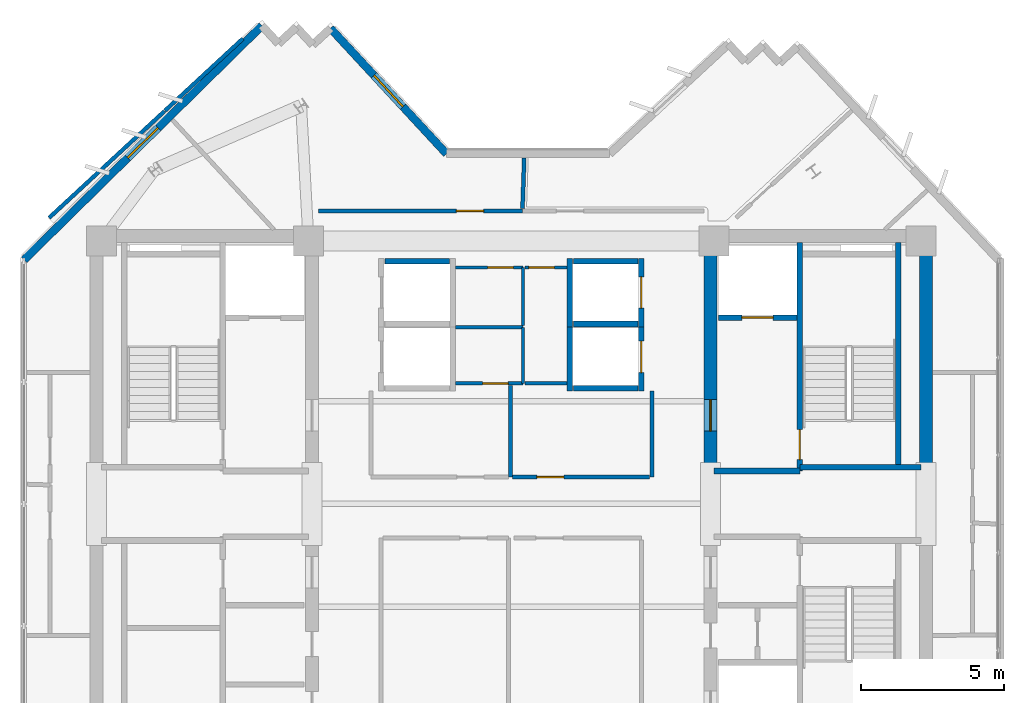
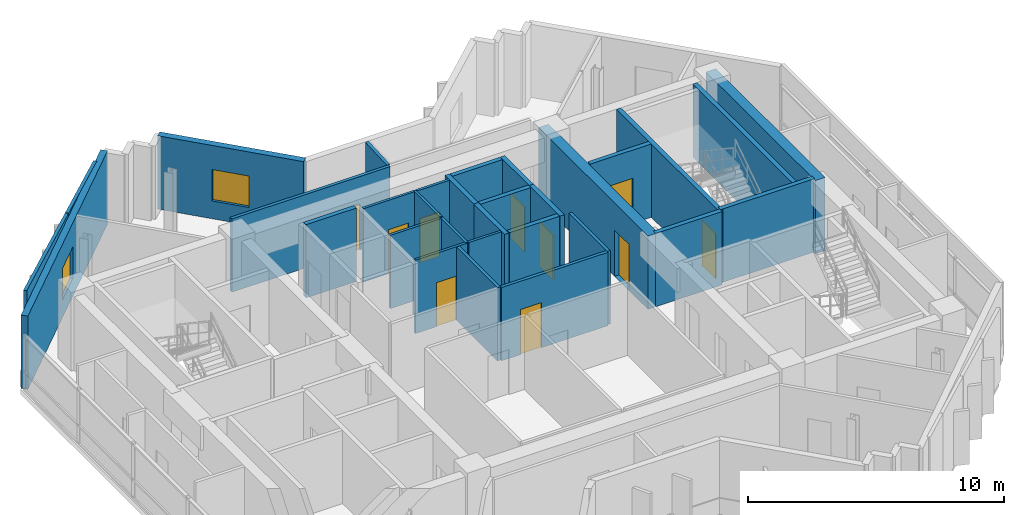
# One storey, part 6 of 9: 31 walls, 10 doors, 2 windows, 12 openings.
"""IFC4 building model written with IfcOpenShell, lengths in metres."""

from ifc_helpers import new_model, si_unit, direction, frame, frame_2d, origin, place, context, subcontext, project, spatial, rectangle, extrude, source, transform, mapped, material, layer, layer_set, type_object, element, fill, save


model = new_model("IFC4")

# Units and contexts
model_context = context("Model", 3, precision=1e-05, world=origin(), true_north=direction((0.0, 1.0)))
body_context = subcontext(model_context, "Body", "Model", "MODEL_VIEW")
ifc_project = project(units=[si_unit("LENGTHUNIT", "METRE"), si_unit("AREAUNIT", "SQUARE_METRE"), si_unit("VOLUMEUNIT", "CUBIC_METRE"), si_unit("PLANEANGLEUNIT", "RADIAN"), si_unit("MASSUNIT", "GRAM", prefix="KILO")], contexts=[model_context])

# Site, building, storey
site_placement = place(None, origin())
site = spatial("IfcSite", under=ifc_project, at=site_placement, CompositionType="ELEMENT")
building_placement = place(site_placement, origin())
building = spatial("IfcBuilding", under=site, at=building_placement, Name="Zahravan Cultural Tower", CompositionType="ELEMENT")
storey_placement = place(building_placement, frame((0.0, 0.0, 295.35009765625)))
storey = spatial("IfcBuildingStorey", under=building, at=storey_placement, Name="L71", CompositionType="ELEMENT", Elevation=295.35009765625)

# Wall, opening, door
ifc_material_1 = material(Name="Concrete C50/60", Category="concrete")
ifc_layer_1 = layer(ifc_material_1, 0.449951171875)
ifc_layer_set_1 = layer_set([ifc_layer_1], Name="Concrete C50/60")
wall_type_1 = type_object("IfcWallType", Name="CW-SHEAR-450-C50", PredefinedType="SHEAR", material=ifc_layer_set_1)
wall_1_placement = place(storey_placement, frame((42.97509765625, 28.050048828125, 0.0), z_axis=(0.0, 0.0, 1.0), x_axis=(0.0, 1.0, 0.0)))
wall_1 = element("IfcWall", 1, at=wall_1_placement, inside=storey, type_object=wall_type_1, Name="L71 Core Shear Wall CW-E-WN-L71", PredefinedType="SHEAR", context=body_context, shape_type="SweptSolid", body=[
    extrude(rectangle(XDim=8.550048828125, YDim=0.449951171875, at=frame_2d((4.27490234375, 0.0))), origin(), (0.0, 0.0, 1.0), 3.5),
])
opening_1_placement = place(wall_1_placement, frame((1.5, 0.0, 0.0)))
opening_1 = element("IfcOpeningElement", 2, at=opening_1_placement, cuts=wall_1, Name="Opening D-L71-07", PredefinedType="OPENING", context=body_context, shape_type="SweptSolid", body=[
    extrude(rectangle(XDim=1.10009765625, YDim=2.199951171875, at=frame_2d((0.550048828125, 1.10009765625))), frame((0.0, 0.23486328125, 0.0), z_axis=(0.0, -1.0, 0.0), x_axis=(1.0, 0.0, 0.0)), (0.0, 0.0, 1.0), 0.469970703125),
])
ifc_material_2 = material(Name="Steel ASTM A572 Grade 50", Category="steel")
door_type_1 = type_object("IfcDoorType", Name="DR-LOBBY-1100", OperationType="NOTDEFINED", PredefinedType="DOOR", material=ifc_material_2)
shared_shape_1 = source(origin(), body_context, "Body", "SweptSolid", [
    extrude(rectangle(XDim=1.10009765625, YDim=2.199951171875, at=frame_2d((0.550048828125, 1.10009765625))), frame((0.0, 0.02490234375, 0.0), z_axis=(0.0, -1.0, 0.0), x_axis=(1.0, 0.0, 0.0)), (0.0, 0.0, 1.0), 0.050048828125),
])
door_1_placement = place(opening_1_placement, origin())
door_1 = element("IfcDoor", 3, at=door_1_placement, inside=storey, type_object=door_type_1, Name="L71 Door D-L71-07", OperationType="SINGLE_SWING_LEFT", OverallHeight=2.199951171875, OverallWidth=1.10009765625, PredefinedType="DOOR", context=body_context, shape_type="MappedRepresentation", body=[
    mapped(shared_shape_1, transform((0.0, 0.0, 0.0), x_axis=(1.0, 0.0, 0.0), y_axis=(0.0, 1.0, 0.0), z_axis=(0.0, 0.0, 1.0), scale=1.0)),
])
fill(opening_1, door_1)

# Wall, opening, window
ifc_material_3 = material(Name="Precast concrete C40/50", Category="concrete")
ifc_layer_2 = layer(ifc_material_3, 0.280029296875)
ifc_layer_set_2 = layer_set([ifc_layer_2], Name="Precast concrete C40/50")
wall_type_2 = type_object("IfcWallType", Name="EW-TC-280", PredefinedType="SOLIDWALL", material=ifc_layer_set_2)
wall_2_placement = place(storey_placement, frame((18.93994140625, 35.5419921875, 0.0), z_axis=(0.0, 0.0, 1.0), x_axis=(0.712557502542, 0.701613715353, 0.0)))
wall_2 = element("IfcWall", 4, at=wall_2_placement, inside=storey, type_object=wall_type_2, Name="L71 Exterior Masonry Frame Wall 20", PredefinedType="SOLIDWALL", context=body_context, shape_type="SweptSolid", body=[
    extrude(rectangle(XDim=11.689697265625, YDim=0.280029296875, at=frame_2d((5.8447265625, 0.0))), origin(), (0.0, 0.0, 1.0), 3.5),
])
opening_2_placement = place(wall_2_placement, frame((5.094970703125, 0.0, 0.85009765625)))
opening_2 = element("IfcOpeningElement", 5, at=opening_2_placement, cuts=wall_2, Name="Opening WN-03", PredefinedType="OPENING", context=body_context, shape_type="SweptSolid", body=[
    extrude(rectangle(XDim=1.5, YDim=1.5, at=frame_2d((0.75, 0.75))), frame((0.0, 0.14990234375, 0.0), z_axis=(0.0, -1.0, 0.0), x_axis=(1.0, 0.0, 0.0)), (0.0, 0.0, 1.0), 0.300048828125),
])
ifc_material_4 = material(Name="Low-E solar-control double glazing", Category="glass")
window_type = type_object("IfcWindowType", Name="WN-REC-1500X1500", PartitioningType="SINGLE_PANEL", PredefinedType="WINDOW", material=ifc_material_4)
shared_shape_2 = source(origin(), body_context, "Body", "SweptSolid", [
    extrude(rectangle(XDim=1.5, YDim=1.5, at=frame_2d((0.75, 0.75))), frame((0.0, 0.030029296875, 0.0), z_axis=(0.0, -1.0, 0.0), x_axis=(1.0, 0.0, 0.0)), (0.0, 0.0, 1.0), 0.06005859375),
])
window_1_placement = place(opening_2_placement, origin())
window_1 = element("IfcWindow", 6, at=window_1_placement, inside=storey, type_object=window_type, Name="L71 Recessed Solar Window 04", OverallHeight=1.5, OverallWidth=1.5, PartitioningType="SINGLE_PANEL", PredefinedType="WINDOW", context=body_context, shape_type="MappedRepresentation", body=[
    mapped(shared_shape_2, transform((0.0, 0.0, 0.0), x_axis=(1.0, 0.0, 0.0), y_axis=(0.0, 1.0, 0.0), z_axis=(0.0, 0.0, 1.0), scale=1.0)),
])
fill(opening_2, window_1)

wall_3_placement = place(storey_placement, frame((29.672119140625, 43.64990234375, 0.0), z_axis=(0.0, 0.0, 1.0), x_axis=(0.679010627727, -0.734128440693, 0.0)))
wall_3 = element("IfcWall", 7, at=wall_3_placement, inside=storey, type_object=wall_type_2, Name="L71 Exterior Masonry Frame Wall 25", PredefinedType="SOLIDWALL", context=body_context, shape_type="SweptSolid", body=[
    extrude(rectangle(XDim=5.979736328125, YDim=0.280029296875, at=frame_2d((2.98974609375, 0.0))), origin(), (0.0, 0.0, 1.0), 3.5),
])
opening_3_placement = place(wall_3_placement, frame((2.239990234375, 0.0, 0.85009765625)))
opening_3 = element("IfcOpeningElement", 8, at=opening_3_placement, cuts=wall_3, Name="Opening WN-03", PredefinedType="OPENING", context=body_context, shape_type="SweptSolid", body=[
    extrude(rectangle(XDim=1.5, YDim=1.5, at=frame_2d((0.75, 0.75))), frame((0.0, 0.14990234375, 0.0), z_axis=(0.0, -1.0, 0.0), x_axis=(1.0, 0.0, 0.0)), (0.0, 0.0, 1.0), 0.300048828125),
])
window_2_placement = place(opening_3_placement, origin())
window_2 = element("IfcWindow", 9, at=window_2_placement, inside=storey, type_object=window_type, Name="L71 Recessed Solar Window 05", OverallHeight=1.5, OverallWidth=1.5, PartitioningType="SINGLE_PANEL", PredefinedType="WINDOW", context=body_context, shape_type="MappedRepresentation", body=[
    mapped(shared_shape_2, transform((0.0, 0.0, 0.0), x_axis=(1.0, 0.0, 0.0), y_axis=(0.0, 1.0, 0.0), z_axis=(0.0, 0.0, 1.0), scale=1.0)),
])
fill(opening_3, window_2)

# Wall, opening, door
ifc_material_5 = material(Name="Gypsum plasterboard partition")
ifc_layer_3 = layer(ifc_material_5, 0.139892578125)
ifc_layer_set_3 = layer_set([ifc_layer_3], Name="Gypsum plasterboard partition")
wall_type_3 = type_object("IfcWallType", Name="W-PART-140", PredefinedType="PARTITIONING", material=ifc_layer_set_3)
wall_4_placement = place(storey_placement, frame((40.844970703125, 27.93994140625, 0.0), z_axis=(0.0, 0.0, 1.0), x_axis=(-1.0, 0.0, 0.0)))
wall_4 = element("IfcWall", 10, at=wall_4_placement, inside=storey, type_object=wall_type_3, Name="L71 Interior Wall 060", PredefinedType="PARTITIONING", context=body_context, shape_type="SweptSolid", body=[
    extrude(rectangle(XDim=4.800048828125, YDim=0.139892578125, at=frame_2d((2.39990234375, 0.0))), origin(), (0.0, 0.0, 1.0), 3.5),
])
opening_4_placement = place(wall_4_placement, frame((3.0029296875, 0.0, 0.0)))
opening_4 = element("IfcOpeningElement", 11, at=opening_4_placement, cuts=wall_4, Name="Opening D-L71-19", PredefinedType="OPENING", context=body_context, shape_type="SweptSolid", body=[
    extrude(rectangle(XDim=0.949951171875, YDim=2.14990234375, at=frame_2d((0.47509765625, 1.074951171875))), frame((0.0, 0.079833984375, 0.0), z_axis=(0.0, -1.0, 0.0), x_axis=(1.0, 0.0, 0.0)), (0.0, 0.0, 1.0), 0.159912109375),
])
ifc_material_6 = material(Name="Anodised bronze-aluminium mullion", Category="aluminium")
door_type_2 = type_object("IfcDoorType", Name="DR-ROOM-950", OperationType="NOTDEFINED", PredefinedType="DOOR", material=ifc_material_6)
shared_shape_3 = source(origin(), body_context, "Body", "SweptSolid", [
    extrude(rectangle(XDim=0.949951171875, YDim=2.14990234375, at=frame_2d((0.47509765625, 1.074951171875))), frame((0.0, 0.02490234375, 0.0), z_axis=(0.0, -1.0, 0.0), x_axis=(1.0, 0.0, 0.0)), (0.0, 0.0, 1.0), 0.050048828125),
])
door_2_placement = place(opening_4_placement, origin())
door_2 = element("IfcDoor", 12, at=door_2_placement, inside=storey, type_object=door_type_2, Name="L71 Door D-L71-19", OperationType="SINGLE_SWING_LEFT", OverallHeight=2.14990234375, OverallWidth=0.949951171875, PredefinedType="DOOR", context=body_context, shape_type="MappedRepresentation", body=[
    mapped(shared_shape_3, transform((0.0, 0.0, 0.0), x_axis=(1.0, 0.0, 0.0), y_axis=(0.0, 1.0, 0.0), z_axis=(0.0, 0.0, 1.0), scale=1.0)),
])
fill(opening_4, door_2)

wall_5_placement = place(storey_placement, frame((36.39013671875, 37.260009765625, 0.0), z_axis=(0.0, 0.0, 1.0), x_axis=(-0.999999997659, -6.8420512e-05, 0.0)))
wall_5 = element("IfcWall", 13, at=wall_5_placement, inside=storey, type_object=wall_type_3, Name="L71 Interior Wall 095", PredefinedType="PARTITIONING", context=body_context, shape_type="SweptSolid", body=[
    extrude(rectangle(XDim=7.136474609375, YDim=0.139892578125, at=frame_2d((3.568359375, 0.0))), origin(), (0.0, 0.0, 1.0), 3.5),
])
opening_5_placement = place(wall_5_placement, frame((1.361083984375, 0.0, 0.0)))
opening_5 = element("IfcOpeningElement", 14, at=opening_5_placement, cuts=wall_5, Name="Opening D-L71-22", PredefinedType="OPENING", context=body_context, shape_type="SweptSolid", body=[
    extrude(rectangle(XDim=0.949951171875, YDim=2.14990234375, at=frame_2d((0.47509765625, 1.074951171875))), frame((0.0, 0.079833984375, 0.0), z_axis=(0.0, -1.0, 0.0), x_axis=(1.0, 0.0, 0.0)), (0.0, 0.0, 1.0), 0.159912109375),
])
door_3_placement = place(opening_5_placement, origin())
door_3 = element("IfcDoor", 15, at=door_3_placement, inside=storey, type_object=door_type_2, Name="L71 Door D-L71-22", OperationType="SINGLE_SWING_RIGHT", OverallHeight=2.14990234375, OverallWidth=0.949951171875, PredefinedType="DOOR", context=body_context, shape_type="MappedRepresentation", body=[
    mapped(shared_shape_3, transform((0.0, 0.0, 0.0), x_axis=(1.0, 0.0, 0.0), y_axis=(0.0, 1.0, 0.0), z_axis=(0.0, 0.0, 1.0), scale=1.0)),
])
fill(opening_5, door_3)

ifc_material_7 = material(Name="Concrete C45/55", Category="concrete")
ifc_layer_4 = layer(ifc_material_7, 0.199951171875)
ifc_layer_set_4 = layer_set([ifc_layer_4], Name="Concrete C45/55")
wall_type_4 = type_object("IfcWallType", Name="W-SHAFT-200", PredefinedType="SOLIDWALL", material=ifc_layer_set_4)
wall_6_placement = place(storey_placement, frame((46.10009765625, 28.14990234375, 0.0), z_axis=(0.0, 0.0, 1.0), x_axis=(0.0, 1.0, 0.0)))
wall_6 = element("IfcWall", 16, at=wall_6_placement, inside=storey, type_object=wall_type_4, Name="L71 Interior Wall 008", PredefinedType="SOLIDWALL", context=body_context, shape_type="SweptSolid", body=[
    extrude(rectangle(XDim=8.0, YDim=0.199951171875, at=frame_2d((4.0, 0.0))), origin(), (0.0, 0.0, 1.0), 3.5),
])
opening_6_placement = place(wall_6_placement, frame((0.39990234375, 0.0, 0.0)))
opening_6 = element("IfcOpeningElement", 17, at=opening_6_placement, cuts=wall_6, Name="Opening D-L71-02", PredefinedType="OPENING", context=body_context, shape_type="SweptSolid", body=[
    extrude(rectangle(XDim=1.050048828125, YDim=2.14990234375, at=frame_2d((0.52490234375, 1.074951171875))), frame((0.0, 0.10986328125, 0.0), z_axis=(0.0, -1.0, 0.0), x_axis=(1.0, 0.0, 0.0)), (0.0, 0.0, 1.0), 0.219970703125),
])
door_type_3 = type_object("IfcDoorType", Name="DR-STAIR-1050", OperationType="NOTDEFINED", PredefinedType="DOOR", material=ifc_material_2)
shared_shape_4 = source(origin(), body_context, "Body", "SweptSolid", [
    extrude(rectangle(XDim=1.050048828125, YDim=2.14990234375, at=frame_2d((0.52490234375, 1.074951171875))), frame((0.0, 0.02490234375, 0.0), z_axis=(0.0, -1.0, 0.0), x_axis=(1.0, 0.0, 0.0)), (0.0, 0.0, 1.0), 0.050048828125),
])
door_4_placement = place(opening_6_placement, origin())
door_4 = element("IfcDoor", 18, at=door_4_placement, inside=storey, type_object=door_type_3, Name="L71 Door D-L71-02", OperationType="SINGLE_SWING_RIGHT", OverallHeight=2.14990234375, OverallWidth=1.050048828125, PredefinedType="DOOR", context=body_context, shape_type="MappedRepresentation", body=[
    mapped(shared_shape_4, transform((0.0, 0.0, 0.0), x_axis=(1.0, 0.0, 0.0), y_axis=(0.0, 1.0, 0.0), z_axis=(0.0, 0.0, 1.0), scale=1.0)),
])
fill(opening_6, door_4)

wall_7_placement = place(storey_placement, frame((43.25, 33.52001953125, 0.0), z_axis=(0.0, 0.0, 1.0), x_axis=(1.0, 0.0, 0.0)))
wall_7 = element("IfcWall", 19, at=wall_7_placement, inside=storey, type_object=wall_type_4, Name="L71 Interior Wall 023", PredefinedType="SOLIDWALL", context=body_context, shape_type="SweptSolid", body=[
    extrude(rectangle(XDim=2.75, YDim=0.199951171875, at=frame_2d((1.375, 0.0))), origin(), (0.0, 0.0, 1.0), 3.5),
])
opening_7_placement = place(wall_7_placement, frame((0.820068359375, 0.0, 0.0)))
opening_7 = element("IfcOpeningElement", 20, at=opening_7_placement, cuts=wall_7, Name="Opening LD-L71-02", PredefinedType="OPENING", context=body_context, shape_type="SweptSolid", body=[
    extrude(rectangle(XDim=1.10009765625, YDim=2.14990234375, at=frame_2d((0.550048828125, 1.074951171875))), frame((0.0, 0.10986328125, 0.0), z_axis=(0.0, -1.0, 0.0), x_axis=(1.0, 0.0, 0.0)), (0.0, 0.0, 1.0), 0.219970703125),
])
door_type_4 = type_object("IfcDoorType", Name="DR-LIFT-1100", OperationType="DOUBLE_DOOR_SLIDING", PredefinedType="DOOR", material=ifc_material_2)
shared_shape_5 = source(origin(), body_context, "Body", "SweptSolid", [
    extrude(rectangle(XDim=1.10009765625, YDim=2.14990234375, at=frame_2d((0.550048828125, 1.074951171875))), frame((0.0, 0.02490234375, 0.0), z_axis=(0.0, -1.0, 0.0), x_axis=(1.0, 0.0, 0.0)), (0.0, 0.0, 1.0), 0.050048828125),
])
door_5_placement = place(opening_7_placement, origin())
door_5 = element("IfcDoor", 21, at=door_5_placement, inside=storey, type_object=door_type_4, Name="L71 Door LD-L71-02", OperationType="DOUBLE_DOOR_SLIDING", OverallHeight=2.14990234375, OverallWidth=1.10009765625, PredefinedType="DOOR", context=body_context, shape_type="MappedRepresentation", body=[
    mapped(shared_shape_5, transform((0.0, 0.0, 0.0), x_axis=(1.0, 0.0, 0.0), y_axis=(0.0, 1.0, 0.0), z_axis=(0.0, 0.0, 1.0), scale=1.0)),
])
fill(opening_7, door_5)

wall_8_placement = place(storey_placement, frame((40.550048828125, 33.199951171875, 0.0), z_axis=(0.0, 0.0, 1.0), x_axis=(0.0, 1.0, 0.0)))
wall_8 = element("IfcWall", 22, at=wall_8_placement, inside=storey, type_object=wall_type_4, Name="L71 Interior Wall 037", PredefinedType="SOLIDWALL", context=body_context, shape_type="SweptSolid", body=[
    extrude(rectangle(XDim=2.400146484375, YDim=0.199951171875, at=frame_2d((1.2001953125, 0.0))), origin(), (0.0, 0.0, 1.0), 3.5),
])
opening_8_placement = place(wall_8_placement, frame((0.64990234375, 0.0, 0.0)))
opening_8 = element("IfcOpeningElement", 23, at=opening_8_placement, cuts=wall_8, Name="Opening LD-L71-06", PredefinedType="OPENING", context=body_context, shape_type="SweptSolid", body=[
    extrude(rectangle(XDim=1.10009765625, YDim=2.14990234375, at=frame_2d((0.550048828125, 1.074951171875))), frame((0.0, 0.10986328125, 0.0), z_axis=(0.0, -1.0, 0.0), x_axis=(1.0, 0.0, 0.0)), (0.0, 0.0, 1.0), 0.219970703125),
])
door_6_placement = place(opening_8_placement, origin())
door_6 = element("IfcDoor", 24, at=door_6_placement, inside=storey, type_object=door_type_4, Name="L71 Door LD-L71-06", OperationType="DOUBLE_DOOR_SLIDING", OverallHeight=2.14990234375, OverallWidth=1.10009765625, PredefinedType="DOOR", context=body_context, shape_type="MappedRepresentation", body=[
    mapped(shared_shape_5, transform((0.0, 0.0, 0.0), x_axis=(1.0, 0.0, 0.0), y_axis=(0.0, 1.0, 0.0), z_axis=(0.0, 0.0, 1.0), scale=1.0)),
])
fill(opening_8, door_6)

wall_9_placement = place(storey_placement, frame((40.550048828125, 30.949951171875, 0.0), z_axis=(0.0, 0.0, 1.0), x_axis=(0.0, 1.0, 0.0)))
wall_9 = element("IfcWall", 25, at=wall_9_placement, inside=storey, type_object=wall_type_4, Name="L71 Interior Wall 041", PredefinedType="SOLIDWALL", context=body_context, shape_type="SweptSolid", body=[
    extrude(rectangle(XDim=2.400146484375, YDim=0.199951171875, at=frame_2d((1.2001953125, 0.0))), origin(), (0.0, 0.0, 1.0), 3.5),
])
opening_9_placement = place(wall_9_placement, frame((0.64990234375, 0.0, 0.0)))
opening_9 = element("IfcOpeningElement", 26, at=opening_9_placement, cuts=wall_9, Name="Opening LD-L71-07", PredefinedType="OPENING", context=body_context, shape_type="SweptSolid", body=[
    extrude(rectangle(XDim=1.10009765625, YDim=2.14990234375, at=frame_2d((0.550048828125, 1.074951171875))), frame((0.0, 0.10986328125, 0.0), z_axis=(0.0, -1.0, 0.0), x_axis=(1.0, 0.0, 0.0)), (0.0, 0.0, 1.0), 0.219970703125),
])
door_7_placement = place(opening_9_placement, origin())
door_7 = element("IfcDoor", 27, at=door_7_placement, inside=storey, type_object=door_type_4, Name="L71 Door LD-L71-07", OperationType="DOUBLE_DOOR_SLIDING", OverallHeight=2.14990234375, OverallWidth=1.10009765625, PredefinedType="DOOR", context=body_context, shape_type="MappedRepresentation", body=[
    mapped(shared_shape_5, transform((0.0, 0.0, 0.0), x_axis=(1.0, 0.0, 0.0), y_axis=(0.0, 1.0, 0.0), z_axis=(0.0, 0.0, 1.0), scale=1.0)),
])
fill(opening_9, door_7)

ifc_layer_5 = layer(ifc_material_5, 0.114990234375)
ifc_layer_set_5 = layer_set([ifc_layer_5], Name="Gypsum plasterboard partition")
wall_type_5 = type_object("IfcWallType", Name="W-WC-115", PredefinedType="PARTITIONING", material=ifc_layer_set_5)
wall_10_placement = place(storey_placement, frame((36.409912109375, 31.219970703125, 0.0), z_axis=(0.0, 0.0, 1.0), x_axis=(-1.0, 0.0, 0.0)))
wall_10 = element("IfcWall", 28, at=wall_10_placement, inside=storey, type_object=wall_type_5, Name="L71 Interior Wall 043", PredefinedType="PARTITIONING", context=body_context, shape_type="SweptSolid", body=[
    extrude(rectangle(XDim=2.35498046875, YDim=0.114990234375, at=frame_2d((1.177490234375, 0.0))), origin(), (0.0, 0.0, 1.0), 3.5),
])
opening_10_placement = place(wall_10_placement, frame((0.5166015625, 0.0, 0.0)))
opening_10 = element("IfcOpeningElement", 29, at=opening_10_placement, cuts=wall_10, Name="Opening D-L71-28", PredefinedType="OPENING", context=body_context, shape_type="SweptSolid", body=[
    extrude(rectangle(XDim=0.89990234375, YDim=2.10009765625, at=frame_2d((0.449951171875, 1.050048828125))), frame((0.0, 0.0673828125, 0.0), z_axis=(0.0, -1.0, 0.0), x_axis=(1.0, 0.0, 0.0)), (0.0, 0.0, 1.0), 0.135009765625),
])
door_type_5 = type_object("IfcDoorType", Name="DR-WC-900", OperationType="NOTDEFINED", PredefinedType="DOOR", material=ifc_material_6)
shared_shape_6 = source(origin(), body_context, "Body", "SweptSolid", [
    extrude(rectangle(XDim=0.89990234375, YDim=2.10009765625, at=frame_2d((0.449951171875, 1.050048828125))), frame((0.0, 0.02490234375, 0.0), z_axis=(0.0, -1.0, 0.0), x_axis=(1.0, 0.0, 0.0)), (0.0, 0.0, 1.0), 0.050048828125),
])
door_8_placement = place(opening_10_placement, origin())
door_8 = element("IfcDoor", 30, at=door_8_placement, inside=storey, type_object=door_type_5, Name="L71 Door D-L71-28", OperationType="SINGLE_SWING_RIGHT", OverallHeight=2.10009765625, OverallWidth=0.89990234375, PredefinedType="DOOR", context=body_context, shape_type="MappedRepresentation", body=[
    mapped(shared_shape_6, transform((0.0, 0.0, 0.0), x_axis=(1.0, 0.0, 0.0), y_axis=(0.0, 1.0, 0.0), z_axis=(0.0, 0.0, 1.0), scale=1.0)),
])
fill(opening_10, door_8)

wall_11_placement = place(storey_placement, frame((34.054931640625, 35.280029296875, 0.0), z_axis=(0.0, 0.0, 1.0), x_axis=(1.0, 0.0, 0.0)))
wall_11 = element("IfcWall", 31, at=wall_11_placement, inside=storey, type_object=wall_type_5, Name="L71 Interior Wall 046", PredefinedType="PARTITIONING", context=body_context, shape_type="SweptSolid", body=[
    extrude(rectangle(XDim=2.35498046875, YDim=0.114990234375, at=frame_2d((1.177490234375, 0.0))), origin(), (0.0, 0.0, 1.0), 3.5),
])
opening_11_placement = place(wall_11_placement, frame((1.120849609375, 0.0, 0.0)))
opening_11 = element("IfcOpeningElement", 32, at=opening_11_placement, cuts=wall_11, Name="Opening D-L71-16", PredefinedType="OPENING", context=body_context, shape_type="SweptSolid", body=[
    extrude(rectangle(XDim=0.89990234375, YDim=2.10009765625, at=frame_2d((0.449951171875, 1.050048828125))), frame((0.0, 0.0673828125, 0.0), z_axis=(0.0, -1.0, 0.0), x_axis=(1.0, 0.0, 0.0)), (0.0, 0.0, 1.0), 0.135009765625),
])
door_9_placement = place(opening_11_placement, origin())
door_9 = element("IfcDoor", 33, at=door_9_placement, inside=storey, type_object=door_type_5, Name="L71 Door D-L71-16", OperationType="SINGLE_SWING_RIGHT", OverallHeight=2.10009765625, OverallWidth=0.89990234375, PredefinedType="DOOR", context=body_context, shape_type="MappedRepresentation", body=[
    mapped(shared_shape_6, transform((0.0, 0.0, 0.0), x_axis=(1.0, 0.0, 0.0), y_axis=(0.0, 1.0, 0.0), z_axis=(0.0, 0.0, 1.0), scale=1.0)),
])
fill(opening_11, door_9)

wall_12_placement = place(storey_placement, frame((36.472412109375, 35.280029296875, 0.0), z_axis=(0.0, 0.0, 1.0), x_axis=(1.0, 0.0, 0.0)))
wall_12 = element("IfcWall", 34, at=wall_12_placement, inside=storey, type_object=wall_type_5, Name="L71 Interior Wall 049", PredefinedType="PARTITIONING", context=body_context, shape_type="SweptSolid", body=[
    extrude(rectangle(XDim=1.47265625, YDim=0.114990234375, at=frame_2d((0.736328125, 0.0))), origin(), (0.0, 0.0, 1.0), 3.5),
])
opening_12_placement = place(wall_12_placement, frame((0.139892578125, 0.0, 0.0)))
opening_12 = element("IfcOpeningElement", 35, at=opening_12_placement, cuts=wall_12, Name="Opening D-L71-17", PredefinedType="OPENING", context=body_context, shape_type="SweptSolid", body=[
    extrude(rectangle(XDim=0.89990234375, YDim=2.10009765625, at=frame_2d((0.449951171875, 1.050048828125))), frame((0.0, 0.0673828125, 0.0), z_axis=(0.0, -1.0, 0.0), x_axis=(1.0, 0.0, 0.0)), (0.0, 0.0, 1.0), 0.135009765625),
])
door_10_placement = place(opening_12_placement, origin())
door_10 = element("IfcDoor", 36, at=door_10_placement, inside=storey, type_object=door_type_5, Name="L71 Door D-L71-17", OperationType="SINGLE_SWING_LEFT", OverallHeight=2.10009765625, OverallWidth=0.89990234375, PredefinedType="DOOR", context=body_context, shape_type="MappedRepresentation", body=[
    mapped(shared_shape_6, transform((0.0, 0.0, 0.0), x_axis=(1.0, 0.0, 0.0), y_axis=(0.0, 1.0, 0.0), z_axis=(0.0, 0.0, 1.0), scale=1.0)),
])
fill(opening_12, door_10)

# Walls
shared_shape_7 = source(origin(), body_context, "Body", "SweptSolid", [
    extrude(rectangle(XDim=8.550048828125, YDim=0.449951171875, at=frame_2d((4.27490234375, 0.0))), origin(), (0.0, 0.0, 1.0), 3.5),
])
wall_13_placement = place(storey_placement, frame((50.52490234375, 28.050048828125, 0.0), z_axis=(0.0, 0.0, 1.0), x_axis=(0.0, 1.0, 0.0)))
element("IfcWall", 37, at=wall_13_placement, inside=storey, type_object=wall_type_1, Name="L71 Core Shear Wall CW-E-EN-L71", PredefinedType="SHEAR", context=body_context, shape_type="MappedRepresentation", body=[
    mapped(shared_shape_7, transform((0.0, 0.0, 0.0), x_axis=(1.0, 0.0, 0.0), y_axis=(0.0, 1.0, 0.0), z_axis=(0.0, 0.0, 1.0), scale=1.0)),
])
shared_shape_8 = source(origin(), body_context, "Body", "SweptSolid", [
    extrude(rectangle(XDim=7.869873046875, YDim=0.199951171875, at=frame_2d((3.93505859375, 0.0))), origin(), (0.0, 0.0, 1.0), 3.5),
])
wall_14_placement = place(storey_placement, frame((49.550048828125, 28.280029296875, 0.0), z_axis=(0.0, 0.0, 1.0), x_axis=(0.0, 1.0, 0.0)))
element("IfcWall", 38, at=wall_14_placement, inside=storey, type_object=wall_type_4, Name="L71 Interior Wall 004", PredefinedType="SOLIDWALL", context=body_context, shape_type="MappedRepresentation", body=[
    mapped(shared_shape_8, transform((0.0, 0.0, 0.0), x_axis=(1.0, 0.0, 0.0), y_axis=(0.0, 1.0, 0.0), z_axis=(0.0, 0.0, 1.0), scale=1.0)),
])
shared_shape_9 = source(origin(), body_context, "Body", "SweptSolid", [
    extrude(rectangle(XDim=4.25, YDim=0.199951171875, at=frame_2d((2.125, 0.0))), origin(), (0.0, 0.0, 1.0), 3.5),
])
wall_15_placement = place(storey_placement, frame((46.10009765625, 28.284912109375, 0.0), z_axis=(0.0, 0.0, 1.0), x_axis=(1.0, 0.0, 0.0)))
element("IfcWall", 39, at=wall_15_placement, inside=storey, type_object=wall_type_4, Name="L71 Interior Wall 016", PredefinedType="SOLIDWALL", context=body_context, shape_type="MappedRepresentation", body=[
    mapped(shared_shape_9, transform((0.0, 0.0, 0.0), x_axis=(1.0, 0.0, 0.0), y_axis=(0.0, 1.0, 0.0), z_axis=(0.0, 0.0, 1.0), scale=1.0)),
])
shared_shape_10 = source(origin(), body_context, "Body", "SweptSolid", [
    extrude(rectangle(XDim=3.0, YDim=0.199951171875, at=frame_2d((1.5, 0.0))), origin(), (0.0, 0.0, 1.0), 3.5),
])
wall_16_placement = place(storey_placement, frame((43.10009765625, 28.14990234375, 0.0), z_axis=(0.0, 0.0, 1.0), x_axis=(1.0, 0.0, 0.0)))
element("IfcWall", 40, at=wall_16_placement, inside=storey, type_object=wall_type_4, Name="L71 Interior Wall 015", PredefinedType="SOLIDWALL", context=body_context, shape_type="MappedRepresentation", body=[
    mapped(shared_shape_10, transform((0.0, 0.0, 0.0), x_axis=(1.0, 0.0, 0.0), y_axis=(0.0, 1.0, 0.0), z_axis=(0.0, 0.0, 1.0), scale=1.0)),
])
shared_shape_11 = source(origin(), body_context, "Body", "SweptSolid", [
    extrude(rectangle(XDim=2.400146484375, YDim=0.199951171875, at=frame_2d((1.2001953125, 0.0))), origin(), (0.0, 0.0, 1.0), 3.5),
])
for number, where, z_axis, x_axis, name in (
    (41, (38.050048828125, 33.199951171875, 0.0), (0.0, 0.0, 1.0), (0.0, 1.0, 0.0), "L71 Interior Wall 036"),
    (42, (38.050048828125, 30.949951171875, 0.0), (0.0, 0.0, 1.0), (0.0, 1.0, 0.0), "L71 Interior Wall 040"),
):
    element("IfcWall", number, at=place(storey_placement, frame(where, z_axis=z_axis, x_axis=x_axis)), inside=storey, type_object=wall_type_4, Name=name, PredefinedType="SOLIDWALL", context=body_context, shape_type="MappedRepresentation", body=[
        mapped(shared_shape_11, transform((0.0, 0.0, 0.0), x_axis=(1.0, 0.0, 0.0), y_axis=(0.0, 1.0, 0.0), z_axis=(0.0, 0.0, 1.0), scale=1.0)),
    ])
shared_shape_12 = source(origin(), body_context, "Body", "SweptSolid", [
    extrude(rectangle(XDim=2.260009765625, YDim=0.199951171875, at=frame_2d((1.1298828125, 0.0))), origin(), (0.0, 0.0, 1.0), 3.5),
])
for number, where, z_axis, x_axis, name in (
    (43, (31.570068359375, 35.5, 0.0), (0.0, 0.0, 1.0), (1.0, 0.0, 0.0), "L71 Interior Wall 032"),
    (44, (38.169921875, 33.300048828125, 0.0), (0.0, 0.0, 1.0), (1.0, 0.0, 0.0), "L71 Interior Wall 038"),
    (45, (38.169921875, 35.5, 0.0), (0.0, 0.0, 1.0), (1.0, 0.0, 0.0), "L71 Interior Wall 039"),
    (46, (38.169921875, 31.050048828125, 0.0), (0.0, 0.0, 1.0), (1.0, 0.0, 0.0), "L71 Interior Wall 042"),
):
    element("IfcWall", number, at=place(storey_placement, frame(where, z_axis=z_axis, x_axis=x_axis)), inside=storey, type_object=wall_type_4, Name=name, PredefinedType="SOLIDWALL", context=body_context, shape_type="MappedRepresentation", body=[
        mapped(shared_shape_12, transform((0.0, 0.0, 0.0), x_axis=(1.0, 0.0, 0.0), y_axis=(0.0, 1.0, 0.0), z_axis=(0.0, 0.0, 1.0), scale=1.0)),
    ])
shared_shape_13 = source(origin(), body_context, "Body", "SweptSolid", [
    extrude(rectangle(XDim=1.9599609375, YDim=0.114990234375, at=frame_2d((0.97998046875, 0.0))), origin(), (0.0, 0.0, 1.0), 3.5),
])
wall_17_placement = place(storey_placement, frame((36.409912109375, 33.179931640625, 0.0), z_axis=(0.0, 0.0, 1.0), x_axis=(0.0, -1.0, 0.0)))
element("IfcWall", 47, at=wall_17_placement, inside=storey, type_object=wall_type_5, Name="L71 Interior Wall 045", PredefinedType="PARTITIONING", context=body_context, shape_type="MappedRepresentation", body=[
    mapped(shared_shape_13, transform((0.0, 0.0, 0.0), x_axis=(1.0, 0.0, 0.0), y_axis=(0.0, 1.0, 0.0), z_axis=(0.0, 0.0, 1.0), scale=1.0)),
])
shared_shape_14 = source(origin(), body_context, "Body", "SweptSolid", [
    extrude(rectangle(XDim=2.0400390625, YDim=0.114990234375, at=frame_2d((1.02001953125, 0.0))), origin(), (0.0, 0.0, 1.0), 3.5),
])
wall_18_placement = place(storey_placement, frame((36.409912109375, 35.280029296875, 0.0), z_axis=(0.0, 0.0, 1.0), x_axis=(0.0, -1.0, 0.0)))
element("IfcWall", 48, at=wall_18_placement, inside=storey, type_object=wall_type_5, Name="L71 Interior Wall 047", PredefinedType="PARTITIONING", context=body_context, shape_type="MappedRepresentation", body=[
    mapped(shared_shape_14, transform((0.0, 0.0, 0.0), x_axis=(1.0, 0.0, 0.0), y_axis=(0.0, 1.0, 0.0), z_axis=(0.0, 0.0, 1.0), scale=1.0)),
])
shared_shape_15 = source(origin(), body_context, "Body", "SweptSolid", [
    extrude(rectangle(XDim=1.47265625, YDim=0.114990234375, at=frame_2d((0.736328125, 0.0))), origin(), (0.0, 0.0, 1.0), 3.5),
])
wall_19_placement = place(storey_placement, frame((37.945068359375, 31.219970703125, 0.0), z_axis=(0.0, 0.0, 1.0), x_axis=(-1.0, 0.0, 0.0)))
element("IfcWall", 49, at=wall_19_placement, inside=storey, type_object=wall_type_5, Name="L71 Interior Wall 048", PredefinedType="PARTITIONING", context=body_context, shape_type="MappedRepresentation", body=[
    mapped(shared_shape_15, transform((0.0, 0.0, 0.0), x_axis=(1.0, 0.0, 0.0), y_axis=(0.0, 1.0, 0.0), z_axis=(0.0, 0.0, 1.0), scale=1.0)),
])
shared_shape_16 = source(origin(), body_context, "Body", "SweptSolid", [
    extrude(rectangle(XDim=3.010009765625, YDim=0.139892578125, at=frame_2d((1.5048828125, 0.0))), origin(), (0.0, 0.0, 1.0), 3.5),
])
wall_20_placement = place(storey_placement, frame((40.919921875, 30.949951171875, 0.0), z_axis=(0.0, 0.0, 1.0), x_axis=(0.0, -1.0, 0.0)))
element("IfcWall", 50, at=wall_20_placement, inside=storey, type_object=wall_type_3, Name="L71 Interior Wall 059", PredefinedType="PARTITIONING", context=body_context, shape_type="MappedRepresentation", body=[
    mapped(shared_shape_16, transform((0.0, 0.0, 0.0), x_axis=(1.0, 0.0, 0.0), y_axis=(0.0, 1.0, 0.0), z_axis=(0.0, 0.0, 1.0), scale=1.0)),
])
shared_shape_17 = source(origin(), body_context, "Body", "SweptSolid", [
    extrude(rectangle(XDim=2.35498046875, YDim=0.114990234375, at=frame_2d((1.177490234375, 0.0))), origin(), (0.0, 0.0, 1.0), 3.5),
])
wall_21_placement = place(storey_placement, frame((34.054931640625, 33.179931640625, 0.0), z_axis=(0.0, 0.0, 1.0), x_axis=(1.0, 0.0, 0.0)))
element("IfcWall", 51, at=wall_21_placement, inside=storey, type_object=wall_type_5, Name="L71 Interior Wall 044", PredefinedType="PARTITIONING", context=body_context, shape_type="MappedRepresentation", body=[
    mapped(shared_shape_17, transform((0.0, 0.0, 0.0), x_axis=(1.0, 0.0, 0.0), y_axis=(0.0, 1.0, 0.0), z_axis=(0.0, 0.0, 1.0), scale=1.0)),
])
shared_shape_18 = source(origin(), body_context, "Body", "SweptSolid", [
    extrude(rectangle(XDim=3.199951171875, YDim=0.139892578125, at=frame_2d((1.60009765625, 0.0))), origin(), (0.0, 0.0, 1.0), 3.5),
])
wall_22_placement = place(storey_placement, frame((35.969970703125, 31.139892578125, 0.0), z_axis=(0.0, 0.0, 1.0), x_axis=(0.0, -1.0, 0.0)))
element("IfcWall", 52, at=wall_22_placement, inside=storey, type_object=wall_type_3, Name="L71 Interior Wall 056", PredefinedType="PARTITIONING", context=body_context, shape_type="MappedRepresentation", body=[
    mapped(shared_shape_18, transform((0.0, 0.0, 0.0), x_axis=(1.0, 0.0, 0.0), y_axis=(0.0, 1.0, 0.0), z_axis=(0.0, 0.0, 1.0), scale=1.0)),
])
shared_shape_19 = source(origin(), body_context, "Body", "SweptSolid", [
    extrude(rectangle(XDim=5.49951171875, YDim=0.139892578125, at=frame_2d((2.749755859375, 0.0))), origin(), (0.0, 0.0, 1.0), 3.5),
])
wall_23_placement = place(storey_placement, frame((19.81787109375, 37.014892578125, 0.0), z_axis=(0.0, 0.0, 1.0), x_axis=(0.734137611872, 0.679000711954, 0.0)))
element("IfcWall", 53, at=wall_23_placement, inside=storey, type_object=wall_type_3, Name="L71 Interior Wall 078", PredefinedType="PARTITIONING", context=body_context, shape_type="MappedRepresentation", body=[
    mapped(shared_shape_19, transform((0.0, 0.0, 0.0), x_axis=(1.0, 0.0, 0.0), y_axis=(0.0, 1.0, 0.0), z_axis=(0.0, 0.0, 1.0), scale=1.0)),
])
shared_shape_20 = source(origin(), body_context, "Body", "SweptSolid", [
    extrude(rectangle(XDim=1.781005859375, YDim=0.139892578125, at=frame_2d((0.890625, 0.0))), origin(), (0.0, 0.0, 1.0), 3.5),
])
wall_24_placement = place(storey_placement, frame((36.392822265625, 37.3349609375, 0.0), z_axis=(0.0, 0.0, 1.0), x_axis=(0.034268709891, 0.999412655274, 0.0)))
element("IfcWall", 54, at=wall_24_placement, inside=storey, type_object=wall_type_3, Name="L71 Interior Wall 093", PredefinedType="PARTITIONING", context=body_context, shape_type="MappedRepresentation", body=[
    mapped(shared_shape_20, transform((0.0, 0.0, 0.0), x_axis=(1.0, 0.0, 0.0), y_axis=(0.0, 1.0, 0.0), z_axis=(0.0, 0.0, 1.0), scale=1.0)),
])
shared_shape_21 = source(origin(), body_context, "Body", "SweptSolid", [
    extrude(rectangle(XDim=3.721923828125, YDim=0.139892578125, at=frame_2d((1.86083984375, 0.0))), origin(), (0.0, 0.0, 1.0), 3.5),
])
wall_25_placement = place(storey_placement, frame((23.869873046875, 40.7626953125, 0.0), z_axis=(0.0, 0.0, 1.0), x_axis=(0.734119057589, 0.679020772352, 0.0)))
element("IfcWall", 55, at=wall_25_placement, inside=storey, type_object=wall_type_3, Name="L71 Interior Wall 094", PredefinedType="PARTITIONING", context=body_context, shape_type="MappedRepresentation", body=[
    mapped(shared_shape_21, transform((0.0, 0.0, 0.0), x_axis=(1.0, 0.0, 0.0), y_axis=(0.0, 1.0, 0.0), z_axis=(0.0, 0.0, 1.0), scale=1.0)),
])

save(model, "model.ifc")
